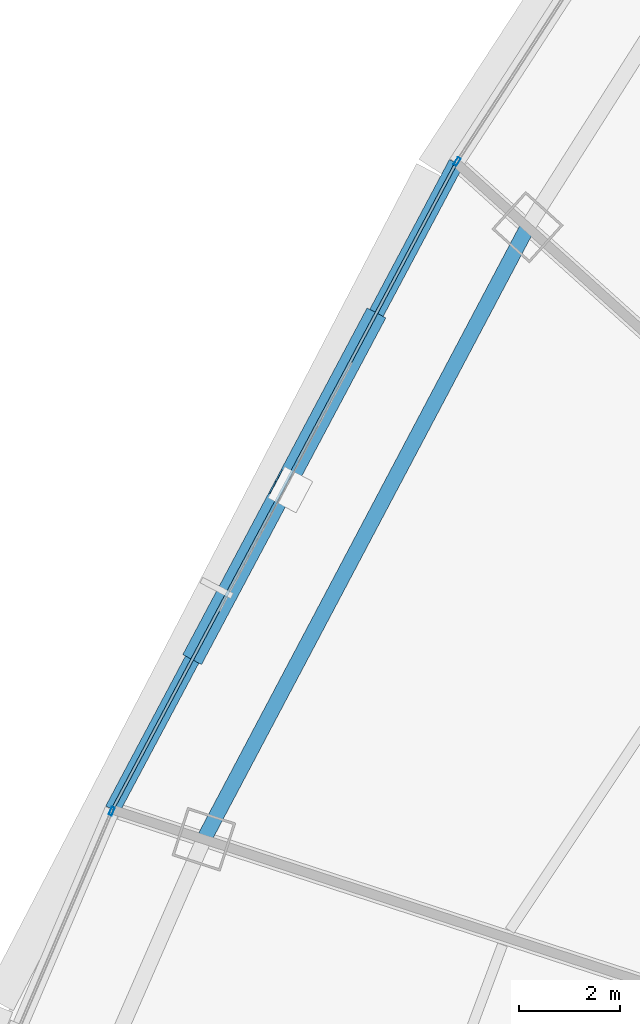
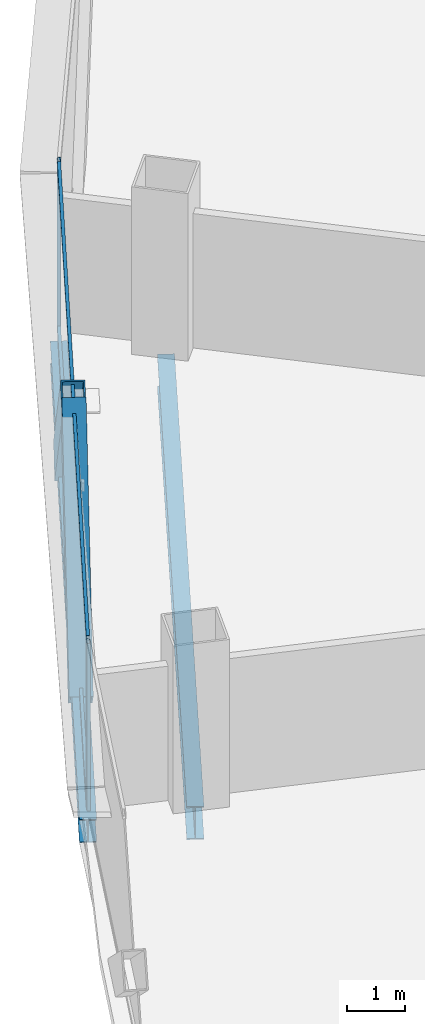
# One storey, part 14 of 39: 6 members, 2 beams, 3 elements without a shape of their own.
"""IFC4 building model written with IfcOpenShell, lengths in metres."""

from ifc_helpers import new_model, si_unit, direction, frame, origin, origin_2d, place, context, subcontext, project, spatial, hollow_rectangle, i_section, extrude, source, transform, mapped, material, layer, layer_set, material_profile, profile_set, type_object, element, aggregate, save


model = new_model("IFC4")

# Units and contexts
model_context = context("Model", 3, precision=1e-05, world=origin(), true_north=direction((0.0, 1.0)))
body_context = subcontext(model_context, "Body", "Model", "MODEL_VIEW")
ifc_project = project(units=[si_unit("LENGTHUNIT", "METRE"), si_unit("AREAUNIT", "SQUARE_METRE"), si_unit("VOLUMEUNIT", "CUBIC_METRE"), si_unit("PLANEANGLEUNIT", "RADIAN"), si_unit("MASSUNIT", "GRAM", prefix="KILO"), si_unit("THERMODYNAMICTEMPERATUREUNIT", "KELVIN"), si_unit("POWERUNIT", "WATT")], contexts=[model_context])

# Site, building, storey
site_placement = place(None, origin())
site = spatial("IfcSite", under=ifc_project, at=site_placement, CompositionType="ELEMENT")
building_placement = place(site_placement, origin())
building = spatial("IfcBuilding", under=site, at=building_placement, Name="Yunzhuo Pagoda Commons", CompositionType="ELEMENT")
storey_placement = place(building_placement, frame((0.0, 0.0, 100.179931640625)))
storey = spatial("IfcBuildingStorey", under=building, at=storey_placement, Name="L25", CompositionType="ELEMENT", Elevation=100.179931640625)

# Beams
ifc_material_1 = material(Name="Structural steel Q355B", Category="steel")
ifc_material_profile_1 = material_profile(ifc_material_1, i_section(OverallWidth=0.300048828125, OverallDepth=0.699951171875, WebThickness=0.012939453125, FlangeThickness=0.02392578125, at=origin_2d()), Name="Structural steel Q355B")
ifc_profile_set_1 = profile_set([ifc_material_profile_1], Name="Structural steel Q355B")
beam_type_1 = type_object("IfcBeamType", Name="B-RG1 Beam HN 700x300x13x24", PredefinedType="BEAM", material=ifc_profile_set_1)
shared_shape_1 = source(origin(), body_context, "Body", "SweptSolid", [
    extrude(i_section(OverallWidth=0.300048828125, OverallDepth=0.699951171875, WebThickness=0.012939453125, FlangeThickness=0.02392578125, at=origin_2d()), origin(), (0.0, 0.0, 1.0), 13.66748046875),
])
beam_1_placement = place(storey_placement, frame((23.397216796875, 55.852294921875, -0.60986328125), z_axis=(-0.467383716456, -0.88405455804, 0.0), x_axis=(0.88405455804, -0.467383716456, 0.0)))
element("IfcBeam", 1, at=beam_1_placement, inside=storey, type_object=beam_type_1, Name="L25 column-ring beam 10", PredefinedType="BEAM", context=body_context, shape_type="MappedRepresentation", body=[
    mapped(shared_shape_1, transform((0.0, 0.0, 0.0), scale=1.0)),
])
ifc_material_profile_2 = material_profile(ifc_material_1, i_section(OverallWidth=0.300048828125, OverallDepth=0.488037109375, WebThickness=0.010986328125, FlangeThickness=0.01806640625, at=origin_2d()), Name="Structural steel Q355B")
ifc_profile_set_2 = profile_set([ifc_material_profile_2], Name="Structural steel Q355B")
beam_type_2 = type_object("IfcBeamType", Name="B-SP1 Beam HM 488x300x11x18", PredefinedType="BEAM", material=ifc_profile_set_2)
shared_shape_2 = source(origin(), body_context, "Body", "SweptSolid", [
    extrude(i_section(OverallWidth=0.300048828125, OverallDepth=0.488037109375, WebThickness=0.010986328125, FlangeThickness=0.01806640625, at=origin_2d()), origin(), (0.0, 0.0, 1.0), 14.45556640625),
])
beam_2_placement = place(storey_placement, frame((21.9892578125, 57.1201171875, -0.50390625), z_axis=(-0.469414934682, -0.882977700227, 0.0), x_axis=(0.882977700227, -0.469414934682, 0.0)))
element("IfcBeam", 2, at=beam_2_placement, inside=storey, type_object=beam_type_2, Name="L25 facade edge spandrel beam F3.2", PredefinedType="BEAM", context=body_context, shape_type="MappedRepresentation", body=[
    mapped(shared_shape_2, transform((0.0, 0.0, 0.0), scale=1.0)),
])

# Members
ifc_material_2 = material(Name="Structural steel Q420B", Category="steel")
ifc_material_profile_3 = material_profile(ifc_material_2, hollow_rectangle(XDim=0.419921875, YDim=0.719970703125, WallThickness=0.028076171875, at=origin_2d()), Name="Structural steel Q420B")
ifc_profile_set_3 = profile_set([ifc_material_profile_3], Name="Structural steel Q420B")
member_type_1 = type_object("IfcMemberType", Name="M-DL1 Brace BOX 720x420x28", PredefinedType="BRACE", material=ifc_profile_set_3)
shared_shape_3 = source(origin(), body_context, "Body", "SweptSolid", [
    extrude(hollow_rectangle(XDim=0.419921875, YDim=0.719970703125, WallThickness=0.028076171875, at=origin_2d()), origin(), (0.0, 0.0, 1.0), 5.243896484375),
])
member_1_placement = place(storey_placement, frame((20.29296875, 53.92919921875, -0.260009765625), z_axis=(-0.32347124873, -0.608487222351, 0.724644500069), x_axis=(0.882987979283, -0.469395599086, 0.0)))
element("IfcMember", 3, at=member_1_placement, inside=storey, type_object=member_type_1, Name="L25 facade diamond brace F3.2L", PredefinedType="BRACE", context=body_context, shape_type="MappedRepresentation", body=[
    mapped(shared_shape_3, transform((0.0, 0.0, 0.0), scale=1.0)),
])
shared_shape_4 = source(origin(), body_context, "Body", "SweptSolid", [
    extrude(hollow_rectangle(XDim=0.419921875, YDim=0.719970703125, WallThickness=0.028076171875, at=origin_2d()), origin(), (0.0, 0.0, 1.0), 5.244384765625),
])
member_2_placement = place(storey_placement, frame((16.89990234375, 47.547119140625, -0.260009765625), z_axis=(0.323545449051, 0.608498210726, 0.724602145968), x_axis=(-0.882946864313, 0.469472932979, 0.0)))
element("IfcMember", 4, at=member_2_placement, inside=storey, type_object=member_type_1, Name="L25 facade diamond brace F3.2R", PredefinedType="BRACE", context=body_context, shape_type="MappedRepresentation", body=[
    mapped(shared_shape_4, transform((0.0, 0.0, 0.0), scale=1.0)),
])

# Curtain wall, member
ifc_material_3 = material(Name="Anodized aluminium 6063-T6", Category="aluminium")
ifc_layer = layer(ifc_material_3, 0.1650390625)
ifc_layer_set = layer_set([ifc_layer], Name="Anodized aluminium 6063-T6")
curtain_wall_type = type_object("IfcCurtainWallType", Name="CW-LOW Low-Zone Ribbon Curtain Wall", PredefinedType="NOTDEFINED", material=ifc_layer_set)
curtain_wall_1_placement = place(storey_placement, origin())
curtain_wall_1 = element("IfcCurtainWall", 5, at=curtain_wall_1_placement, inside=storey, type_object=curtain_wall_type, Name="L25 curtain wall CW-L25-F3B2", PredefinedType="NOTDEFINED")
ifc_material_profile_4 = material_profile(ifc_material_3, hollow_rectangle(XDim=0.06494140625, YDim=0.1650390625, WallThickness=0.00390625, at=origin_2d()), Name="Anodized aluminium 6063-T6")
ifc_profile_set_4 = profile_set([ifc_material_profile_4], Name="Anodized aluminium 6063-T6")
member_type_2 = type_object("IfcMemberType", Name="CW-LOW-M Mullion RHS 165x65x4", PredefinedType="MULLION", material=ifc_profile_set_4)
shared_shape_5 = source(origin(), body_context, "Body", "SweptSolid", [
    extrude(hollow_rectangle(XDim=0.06494140625, YDim=0.1650390625, WallThickness=0.00390625, at=origin_2d()), origin(), (0.0, 0.0, 1.0), 3.5400390625),
])
member_3_placement = place(storey_placement, frame((22.007080078125, 57.1474609375, 0.0), z_axis=(0.0, 0.0, 1.0), x_axis=(0.838972259493, -0.544174188841, 0.0)))
member_3 = element("IfcMember", 6, at=member_3_placement, type_object=member_type_2, Name="CW mullion 2", PredefinedType="MULLION", context=body_context, shape_type="MappedRepresentation", body=[
    mapped(shared_shape_5, transform((0.0, 0.0, 0.0), scale=1.0)),
])
aggregate(curtain_wall_1, [member_3])

curtain_wall_2_placement = place(storey_placement, origin())
curtain_wall_2 = element("IfcCurtainWall", 7, at=curtain_wall_2_placement, inside=storey, type_object=curtain_wall_type, Name="L25 curtain wall CW-L25-F3B4", PredefinedType="NOTDEFINED")
member_4_placement = place(storey_placement, frame((15.19091796875, 44.326416015625, 0.0), z_axis=(0.0, 0.0, 1.0), x_axis=(0.919382894415, -0.393363818185, 0.0)))
member_4 = element("IfcMember", 8, at=member_4_placement, type_object=member_type_2, Name="CW mullion 1", PredefinedType="MULLION", context=body_context, shape_type="MappedRepresentation", body=[
    mapped(shared_shape_5, transform((0.0, 0.0, 0.0), scale=1.0)),
])
aggregate(curtain_wall_2, [member_4])

# Curtain wall, members
curtain_wall_3_placement = place(storey_placement, origin())
curtain_wall_3 = element("IfcCurtainWall", 9, at=curtain_wall_3_placement, inside=storey, type_object=curtain_wall_type, Name="L25 curtain wall CW-L25-F3B3", PredefinedType="NOTDEFINED")
ifc_material_profile_5 = material_profile(ifc_material_3, hollow_rectangle(XDim=0.06005859375, YDim=0.139892578125, WallThickness=0.00341796875, at=origin_2d()), Name="Anodized aluminium 6063-T6")
ifc_profile_set_5 = profile_set([ifc_material_profile_5], Name="Anodized aluminium 6063-T6")
member_type_3 = type_object("IfcMemberType", Name="CW-LOW-T Transom RHS 140x60x3.5", PredefinedType="USERDEFINED", material=ifc_profile_set_5)
shared_shape_6 = source(origin(), body_context, "Body", "SweptSolid", [
    extrude(hollow_rectangle(XDim=0.06005859375, YDim=0.139892578125, WallThickness=0.00341796875, at=origin_2d()), origin(), (0.0, 0.0, 1.0), 14.32568359375),
])
member_5_placement = place(storey_placement, frame((21.958740234375, 57.062744140625, 0.030029296875), z_axis=(-0.469413137866, -0.88297865546, 0.0), x_axis=(0.88297865546, -0.469413137866, 0.0)))
member_5 = element("IfcMember", 10, at=member_5_placement, type_object=member_type_3, Name="CW transom 1.1", ObjectType="TRANSOM", PredefinedType="USERDEFINED", context=body_context, shape_type="MappedRepresentation", body=[
    mapped(shared_shape_6, transform((0.0, 0.0, 0.0), scale=1.0)),
])
member_6_placement = place(storey_placement, frame((21.958740234375, 57.062744140625, 3.510009765625), z_axis=(-0.469413137866, -0.88297865546, 0.0), x_axis=(0.88297865546, -0.469413137866, 0.0)))
member_6 = element("IfcMember", 11, at=member_6_placement, type_object=member_type_3, Name="CW transom 1.2", ObjectType="TRANSOM", PredefinedType="USERDEFINED", context=body_context, shape_type="MappedRepresentation", body=[
    mapped(shared_shape_6, transform((0.0, 0.0, 0.0), scale=1.0)),
])
aggregate(curtain_wall_3, [member_5, member_6])

save(model, "model.ifc")
